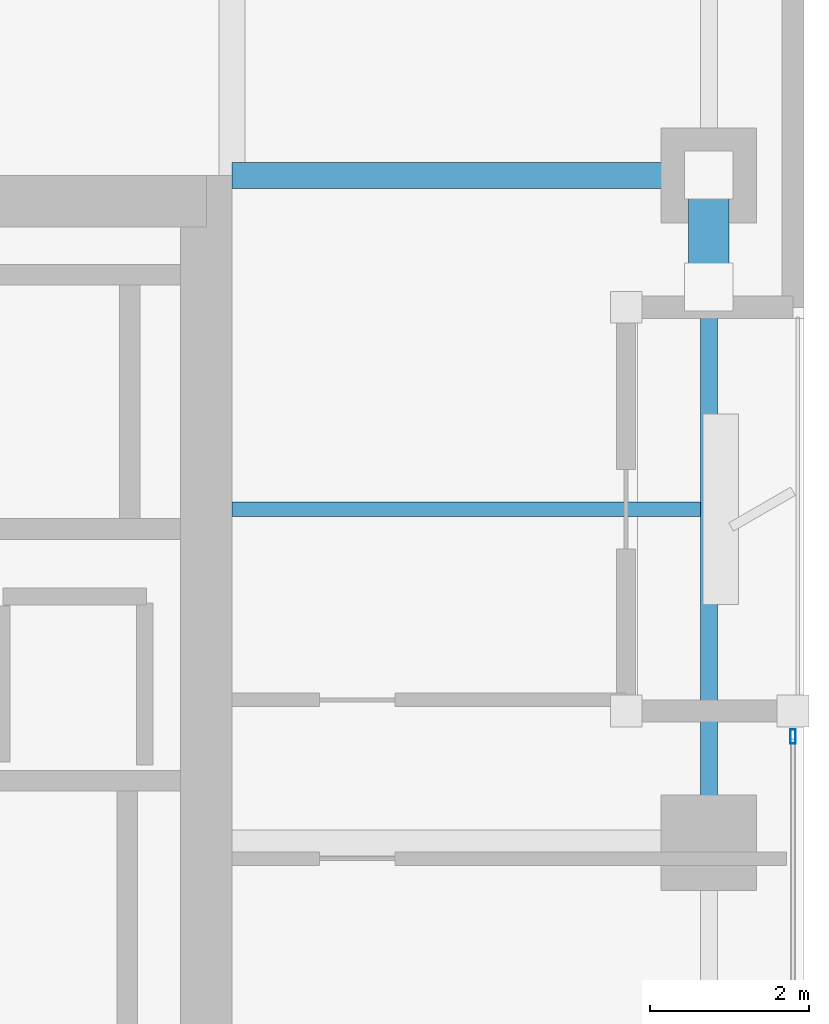
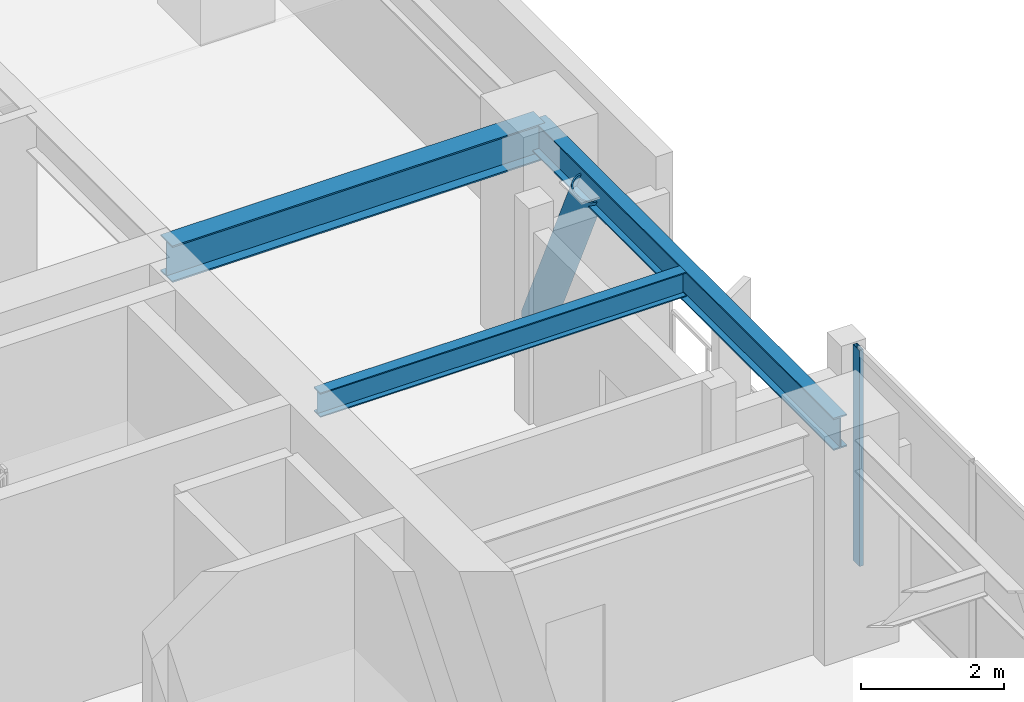
# One storey, part 11 of 30: 3 beams, 2 members, 1 element without a shape of its own.
"""IFC4 building model written with IfcOpenShell, lengths in metres."""

from ifc_helpers import new_model, si_unit, direction, frame, origin, origin_2d, place, context, subcontext, project, spatial, hollow_rectangle, hollow_circle, i_section, extrude, material, layer, layer_set, material_profile, profile_set, type_object, element, aggregate, save


model = new_model("IFC4")

# Units and contexts
model_context = context("Model", 3, precision=1e-05, world=origin(), true_north=direction((0.0, 1.0)))
body_context = subcontext(model_context, "Body", "Model", "MODEL_VIEW")
ifc_project = project(units=[si_unit("LENGTHUNIT", "METRE"), si_unit("AREAUNIT", "SQUARE_METRE"), si_unit("VOLUMEUNIT", "CUBIC_METRE"), si_unit("PLANEANGLEUNIT", "RADIAN"), si_unit("MASSUNIT", "GRAM", prefix="KILO")], contexts=[model_context])

# Site, building, storey
site_placement = place(None, origin())
site = spatial("IfcSite", under=ifc_project, at=site_placement, CompositionType="ELEMENT")
building_placement = place(site_placement, origin())
building = spatial("IfcBuilding", under=site, at=building_placement, Name="Kiyonajd Concourse Tower", CompositionType="ELEMENT")
storey_placement = place(building_placement, frame((0.0, 0.0, 201.89990234375)))
storey = spatial("IfcBuildingStorey", under=building, at=storey_placement, Name="L51", CompositionType="ELEMENT", Elevation=201.89990234375)

# Beams
ifc_material_1 = material(Name="Steel ASTM A992 Grade 50", Category="steel")
ifc_material_profile_1 = material_profile(ifc_material_1, i_section(OverallWidth=0.180908203125, OverallDepth=0.4169921875, WebThickness=0.010986328125, FlangeThickness=0.018310546875, at=origin_2d()), Name="W410X85")
ifc_profile_set_1 = profile_set([ifc_material_profile_1], Name="Steel ASTM A992 Grade 50")
beam_type_1 = type_object("IfcBeamType", Name="BM-JST-410", PredefinedType="JOIST", material=ifc_profile_set_1)
beam_1_placement = place(storey_placement, frame((63.60009765625, 40.199951171875, 3.4716796875), z_axis=(1.0, 0.0, 0.0), x_axis=(0.0, 1.0, 0.0)))
element("IfcBeam", 1, at=beam_1_placement, inside=storey, type_object=beam_type_1, Name="L51 East Secondary Floor Joist", PredefinedType="JOIST", context=body_context, shape_type="SweptSolid", body=[
    extrude(i_section(OverallWidth=0.180908203125, OverallDepth=0.4169921875, WebThickness=0.010986328125, FlangeThickness=0.018310546875, at=origin_2d()), origin(), (0.0, 0.0, 1.0), 5.892822265625),
])
ifc_material_profile_2 = material_profile(ifc_material_1, i_section(OverallWidth=0.214111328125, OverallDepth=0.549072265625, WebThickness=0.0146484375, FlangeThickness=0.023681640625, at=origin_2d()), Name="W530X138")
ifc_profile_set_2 = profile_set([ifc_material_profile_2], Name="Steel ASTM A992 Grade 50")
beam_type_2 = type_object("IfcBeamType", Name="BM-SPAN-530A", PredefinedType="SPANDREL", material=ifc_profile_set_2)
beam_2_placement = place(storey_placement, frame((69.60009765625, 36.0, 3.405517578125), z_axis=(0.0, 1.0, 0.0), x_axis=(-1.0, 0.0, 0.0)))
element("IfcBeam", 2, at=beam_2_placement, inside=storey, type_object=beam_type_2, Name="L51 Perimeter Bundled Tube Spandrel", PredefinedType="SPANDREL", context=body_context, shape_type="SweptSolid", body=[
    extrude(i_section(OverallWidth=0.214111328125, OverallDepth=0.549072265625, WebThickness=0.0146484375, FlangeThickness=0.023681640625, at=origin_2d()), origin(), (0.0, 0.0, 1.0), 8.39990234375),
])
ifc_material_profile_3 = material_profile(ifc_material_1, i_section(OverallWidth=0.326904296875, OverallDepth=0.6220703125, WebThickness=0.015380859375, FlangeThickness=0.0244140625, at=origin_2d()), Name="W610X195")
ifc_profile_set_3 = profile_set([ifc_material_profile_3], Name="Steel ASTM A992 Grade 50")
beam_type_3 = type_object("IfcBeamType", Name="BM-TWR-610A", PredefinedType="BEAM", material=ifc_profile_set_3)
beam_3_placement = place(storey_placement, frame((63.60009765625, 44.39990234375, 3.369140625), z_axis=(1.0, 0.0, 0.0), x_axis=(0.0, 1.0, 0.0)))
element("IfcBeam", 3, at=beam_3_placement, inside=storey, type_object=beam_type_3, Name="L51 East Lease Girder", PredefinedType="BEAM", context=body_context, shape_type="SweptSolid", body=[
    extrude(i_section(OverallWidth=0.326904296875, OverallDepth=0.6220703125, WebThickness=0.015380859375, FlangeThickness=0.0244140625, at=origin_2d()), origin(), (0.0, 0.0, 1.0), 6.0),
])

# Curtain wall, member
ifc_material_2 = material(Name="Thermally Broken Anodised Aluminium", Category="aluminium")
ifc_layer = layer(ifc_material_2, 0.179931640625)
ifc_layer_set = layer_set([ifc_layer], Name="Thermally Broken Anodised Aluminium")
curtain_wall_type = type_object("IfcCurtainWallType", Name="CW-SYS-03", PredefinedType="NOTDEFINED", material=ifc_layer_set)
curtain_wall_placement = place(storey_placement, origin())
curtain_wall = element("IfcCurtainWall", 4, at=curtain_wall_placement, inside=storey, type_object=curtain_wall_type, Name="L51 Unitised Curtain Wall CW3", PredefinedType="NOTDEFINED")
ifc_material_profile_4 = material_profile(ifc_material_2, hollow_rectangle(XDim=0.06494140625, YDim=0.179931640625, WallThickness=0.00390625, at=origin_2d()), Name="MULL-65x180")
ifc_profile_set_4 = profile_set([ifc_material_profile_4], Name="Thermally Broken Anodised Aluminium")
member_type_1 = type_object("IfcMemberType", Name="MB-CW-MULL1", PredefinedType="MULLION", material=ifc_profile_set_4)
member_1_placement = place(storey_placement, frame((70.659912109375, 37.33740234375, 0.0), z_axis=(0.0, 0.0, 1.0), x_axis=(1.0, 0.0, 0.0)))
member_1 = element("IfcMember", 5, at=member_1_placement, type_object=member_type_1, Name="CW3 mullion 1", PredefinedType="MULLION", context=body_context, shape_type="SweptSolid", body=[
    extrude(hollow_rectangle(XDim=0.06494140625, YDim=0.179931640625, WallThickness=0.00390625, at=origin_2d()), origin(), (0.0, 0.0, 1.0), 3.68017578125),
])
aggregate(curtain_wall, [member_1])

# Member
ifc_material_3 = material(Name="Steel ASTM A500 Grade C", Category="steel")
ifc_material_profile_5 = material_profile(ifc_material_3, hollow_circle(Radius=0.25390625, WallThickness=0.02197265625, at=origin_2d()), Name="CHS-508x22")
ifc_profile_set_5 = profile_set([ifc_material_profile_5], Name="Steel ASTM A500 Grade C")
member_type_2 = type_object("IfcMemberType", Name="MB-PB-MID", PredefinedType="BRACE", material=ifc_profile_set_5)
member_2_placement = place(storey_placement, frame((69.60009765625, 44.39990234375, 0.300048828125), z_axis=(0.0, -0.419410666774, 0.907796614114), x_axis=(1.0, 0.0, 0.0)))
element("IfcMember", 6, at=member_2_placement, inside=storey, type_object=member_type_2, Name="L51 Upper Zone Hollow Tube Brace PBE", PredefinedType="BRACE", context=body_context, shape_type="SweptSolid", body=[
    extrude(hollow_circle(Radius=0.25390625, WallThickness=0.02197265625, at=origin_2d()), origin(), (0.0, 0.0, 1.0), 3.337890625),
])

save(model, "model.ifc")
